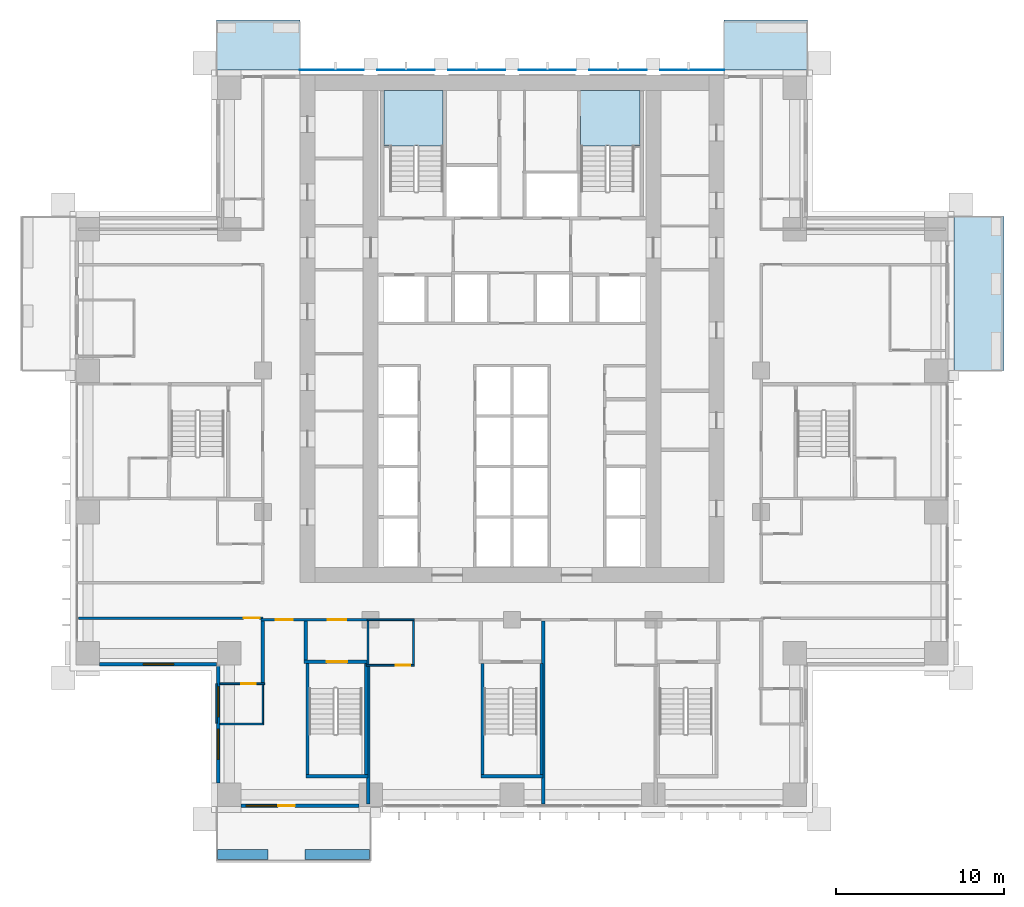
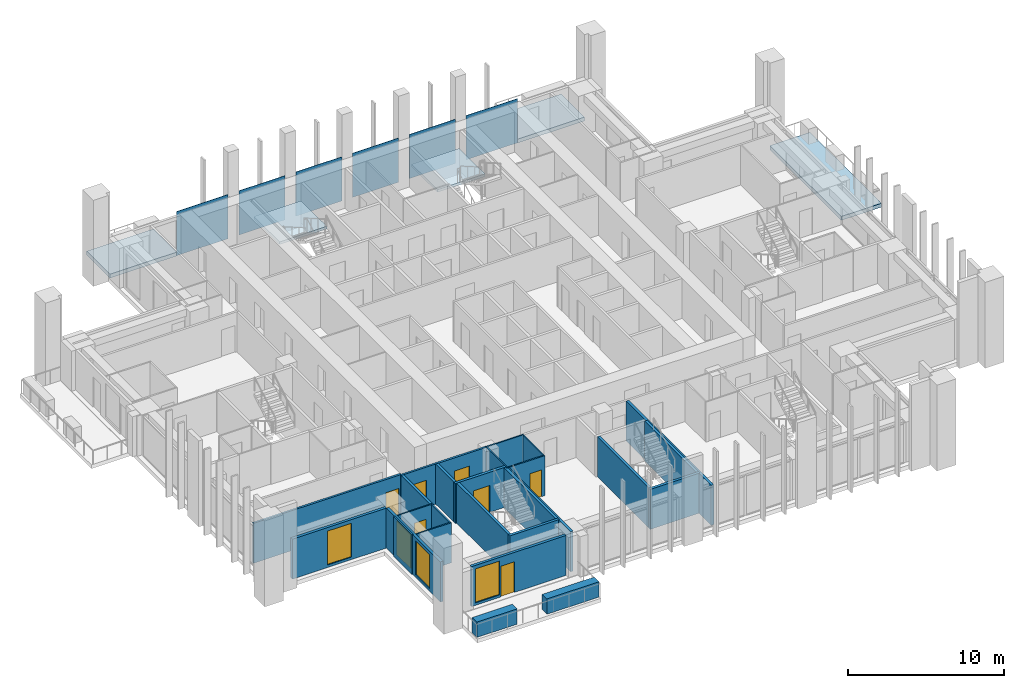
# One storey, part 6 of 17: 26 walls, 7 doors, 6 plates, 5 slabs, 4 windows, 11 openings, 2 elements without a shape of their own.
"""IFC4 building model written with IfcOpenShell, lengths in metres."""

import ifcopenshell
import ifcopenshell.guid

model = None  # the IFC model being written
_history = None  # IfcOwnerHistory: only IFC2X3 demands one
_inside = {}  # id of a spatial element -> (the spatial element, [elements in it])
_under = {}  # id of a project, library or spatial element -> (it, [spatial elements below it])
_declared = {}  # id of a project -> (the project, [libraries it declares])
_typed = {}  # id of a type object -> (the type object, [elements of that type])
_made_of = {}  # id of a material, layer set ... -> (it, [elements and type objects made of it])


def new_model(schema):
    """Start an empty IFC model of exactly this schema.

    Asked for "IFC4X3", IfcOpenShell would pick the latest addendum, in which some entities
    have other attributes; the version numbers below select the first issue.
    IFC2X3 requires an IfcOwnerHistory on every rooted entity: one is made here for all.
    """
    global model, _history
    if schema == "IFC4X3":
        model = ifcopenshell.file(schema_version=(4, 3, 0, 0))
    else:
        model = ifcopenshell.file(schema=schema)
    _inside.clear()
    _under.clear()
    _declared.clear()
    _typed.clear()
    _made_of.clear()
    _history = None
    if model.schema == "IFC2X3":
        org = make("IfcOrganization", Name="unknown")
        user = make(
            "IfcPersonAndOrganization",
            ThePerson=make("IfcPerson", FamilyName="unknown"),
            TheOrganization=org,
        )
        app = make(
            "IfcApplication",
            ApplicationDeveloper=org,
            Version="unknown",
            ApplicationFullName="unknown",
            ApplicationIdentifier="unknown",
        )
        _history = make(
            "IfcOwnerHistory",
            OwningUser=user,
            OwningApplication=app,
            ChangeAction="ADDED",
            CreationDate=0,
        )
    return model


def make(cls, **values):
    """One entity of the class cls with the attributes given. An attribute that is None is left unset."""
    return model.create_entity(
        cls, **{name: value for name, value in values.items() if value is not None}
    )


def rooted(cls, **values):
    """An entity with a GlobalId (a new one), such as an element, a storey or a relation."""
    return make(cls, GlobalId=ifcopenshell.guid.new(), OwnerHistory=_history, **values)


def si_unit(unit_type, name, prefix=None):
    """IfcSIUnit, for example si_unit("LENGTHUNIT", "METRE", prefix="MILLI")."""
    return make("IfcSIUnit", UnitType=unit_type, Prefix=prefix, Name=name)


def assignment(units):
    """IfcUnitAssignment: the units of a project."""
    return None if units is None else make("IfcUnitAssignment", Units=units)


def point(xyz):
    """IfcCartesianPoint."""
    return None if xyz is None else make("IfcCartesianPoint", Coordinates=xyz)


def direction(xyz):
    """IfcDirection."""
    return None if xyz is None else make("IfcDirection", DirectionRatios=xyz)


def frame(location, z_axis=None, x_axis=None):
    """IfcAxis2Placement3D, a coordinate frame: its origin and axes. An axis left out is left unset."""
    return make(
        "IfcAxis2Placement3D",
        Location=point(location),
        Axis=direction(z_axis),
        RefDirection=direction(x_axis),
    )


def frame_2d(location, x_axis=None):
    """IfcAxis2Placement2D, a coordinate frame in the plane: its origin and x axis."""
    return make(
        "IfcAxis2Placement2D", Location=point(location), RefDirection=direction(x_axis)
    )


def origin():
    """The frame at (0, 0, 0) with its axes left unset."""
    return frame((0.0, 0.0, 0.0))


def origin_2d():
    """The frame at (0, 0) in the plane with its x axis left unset."""
    return frame_2d((0.0, 0.0))


def place(relative_to, where):
    """IfcLocalPlacement: puts the frame where relative to a parent placement (None: the world)."""
    return make(
        "IfcLocalPlacement", PlacementRelTo=relative_to, RelativePlacement=where
    )


def context(
    kind, dimensions, precision=None, world=None, true_north=None, identifier=None
):
    """IfcGeometricRepresentationContext, for example the 3D "Model" context."""
    return make(
        "IfcGeometricRepresentationContext",
        ContextIdentifier=identifier,
        ContextType=kind,
        CoordinateSpaceDimension=dimensions,
        Precision=precision,
        WorldCoordinateSystem=world,
        TrueNorth=true_north,
    )


def subcontext(parent, identifier, kind, view, scale=None):
    """IfcGeometricRepresentationSubContext, for example "Body" below "Model"."""
    return make(
        "IfcGeometricRepresentationSubContext",
        ContextIdentifier=identifier,
        ContextType=kind,
        ParentContext=parent,
        TargetScale=scale,
        TargetView=view,
    )


def project(units=None, contexts=None):
    """IfcProject with its units and contexts."""
    return rooted(
        "IfcProject",
        Name="project",
        RepresentationContexts=contexts,
        UnitsInContext=assignment(units),
    )


def spatial(cls, under=None, at=None, **own):
    """A site, building, storey or space (cls), placed at a placement, below another one or the project."""
    s = rooted(cls, ObjectPlacement=at, **own)
    if under is not None:
        _under.setdefault(under.id(), (under, []))[1].append(s)
    return s


def polyline(points):
    """IfcPolyline through the points."""
    return make("IfcPolyline", Points=[point(p) for p in points])


def profile(cls, at=None, kind="AREA", **sizes):
    """A parametric profile (cls). Its sizes go by their IFC names, for example OverallWidth=200.0."""
    return make(cls, ProfileType=kind, Position=at, **sizes)


def rectangle(**sizes):
    """IfcRectangleProfileDef."""
    return profile("IfcRectangleProfileDef", **sizes)


def outline(outer, holes=None, kind="AREA"):
    """IfcArbitraryClosedProfileDef: a profile drawn as a closed curve; with holes, ...WithVoids."""
    if holes is None:
        return make("IfcArbitraryClosedProfileDef", ProfileType=kind, OuterCurve=outer)
    return make(
        "IfcArbitraryProfileDefWithVoids",
        ProfileType=kind,
        OuterCurve=outer,
        InnerCurves=holes,
    )


def extrude(swept, where, along, depth):
    """IfcExtrudedAreaSolid: the profile swept, set in the frame where, extruded along a direction by depth."""
    return make(
        "IfcExtrudedAreaSolid",
        SweptArea=swept,
        Position=where,
        ExtrudedDirection=direction(along),
        Depth=depth,
    )


def shape(context_of_items, identifier, shape_type, items):
    """IfcShapeRepresentation: the items that make up one representation, for example the "Body"."""
    return make(
        "IfcShapeRepresentation",
        ContextOfItems=context_of_items,
        RepresentationIdentifier=identifier,
        RepresentationType=shape_type,
        Items=items,
    )


def material(Name=None, Category=None):
    """IfcMaterial."""
    return make("IfcMaterial", Name=Name, Category=Category)


def layer(
    of_material, thickness, ventilated=None, Name=None, Category=None, Priority=None
):
    """IfcMaterialLayer: one layer of a wall or slab, of a material (None: an air gap)."""
    return make(
        "IfcMaterialLayer",
        Material=of_material,
        LayerThickness=thickness,
        IsVentilated=ventilated,
        Name=Name,
        Category=Category,
        Priority=Priority,
    )


def layer_set(layers, Name=None):
    """IfcMaterialLayerSet."""
    return make("IfcMaterialLayerSet", MaterialLayers=layers, LayerSetName=Name)


def made_of(thing, what):
    """Note that an element or type object is made of a material, layer set ...; save() writes the relation."""
    if what is not None:
        _made_of.setdefault(what.id(), (what, []))[1].append(thing)
    return thing


def type_object(cls, material=None, **own):
    """A type object (cls), such as IfcWallType, which elements share."""
    return made_of(rooted(cls, **own), material)


def element(
    cls,
    number,
    at=None,
    inside=None,
    cuts=None,
    type_object=None,
    material=None,
    context=None,
    identifier="Body",
    shape_type=None,
    held_by="IfcProductDefinitionShape",
    body=None,
    shapes=None,
    **own,
):
    """One element of the class cls, such as IfcWall. Its Tag is "e" and its number.

    at: its placement. inside: the storey or other place that contains it. cuts: it is an
    opening in that element (IfcRelVoidsElement). A single representation is given by context,
    identifier, shape_type and body (its items); several are given by shapes. held_by: the class
    of the entity that holds the representations. save() writes the other relations.
    """
    e = rooted(cls, Tag="e%d" % number, ObjectPlacement=at, **own)
    if body is not None:
        shapes = [shape(context, identifier, shape_type, body)]
    if shapes is not None:
        e.Representation = make(held_by, Representations=shapes)
    if inside is not None:
        _inside.setdefault(inside.id(), (inside, []))[1].append(e)
    if cuts is not None:
        rooted(
            "IfcRelVoidsElement", RelatingBuildingElement=cuts, RelatedOpeningElement=e
        )
    if type_object is not None:
        _typed.setdefault(type_object.id(), (type_object, []))[1].append(e)
    return made_of(e, material)


def fill(opening, filler):
    """IfcRelFillsElement: the door or window that sits in an opening."""
    return rooted(
        "IfcRelFillsElement",
        RelatingOpeningElement=opening,
        RelatedBuildingElement=filler,
    )


def aggregate(whole, parts):
    """IfcRelAggregates: a whole, such as a stair, and the parts it consists of."""
    return rooted("IfcRelAggregates", RelatingObject=whole, RelatedObjects=parts)


def save(model, path):
    """Write the relations noted so far, then the file.

    IfcRelAggregates (storeys below a building ...), IfcRelContainedInSpatialStructure (elements
    in a storey), IfcRelDefinesByType, IfcRelAssociatesMaterial and IfcRelDeclares: one each for
    every whole, place, type object, material and project.
    """
    for whole, parts in _under.values():
        aggregate(whole, parts)
    for where, things in _inside.values():
        rooted(
            "IfcRelContainedInSpatialStructure",
            RelatedElements=things,
            RelatingStructure=where,
        )
    for kind, things in _typed.values():
        rooted("IfcRelDefinesByType", RelatedObjects=things, RelatingType=kind)
    for what, things in _made_of.values():
        rooted("IfcRelAssociatesMaterial", RelatedObjects=things, RelatingMaterial=what)
    for by, libraries in _declared.values():
        rooted("IfcRelDeclares", RelatingContext=by, RelatedDefinitions=libraries)
    model.write(path)


model = new_model("IFC4")

# Units and contexts
model_context = context("Model", 3, precision=1e-05, world=origin(), true_north=direction((0.0, 1.0)))
body_context = subcontext(model_context, "Body", "Model", "MODEL_VIEW")
ifc_project = project(units=[si_unit("LENGTHUNIT", "METRE"), si_unit("AREAUNIT", "SQUARE_METRE"), si_unit("VOLUMEUNIT", "CUBIC_METRE"), si_unit("PLANEANGLEUNIT", "RADIAN"), si_unit("MASSUNIT", "GRAM", prefix="KILO")], contexts=[model_context])

# Site, building, storey
site_placement = place(None, origin())
site = spatial("IfcSite", under=ifc_project, at=site_placement, CompositionType="ELEMENT")
building_placement = place(site_placement, origin())
building = spatial("IfcBuilding", under=site, at=building_placement, Name="Vermilion Ogive Tower", CompositionType="ELEMENT")
storey_placement = place(building_placement, frame((0.0, 0.0, 69.0)))
storey = spatial("IfcBuildingStorey", under=building, at=storey_placement, Name="L16", CompositionType="ELEMENT", Elevation=69.0)

# Slabs
ifc_material_1 = material(Name="Concrete B40", Category="concrete")
ifc_layer_1 = layer(ifc_material_1, 0.300048828125)
ifc_layer_set_1 = layer_set([ifc_layer_1], Name="Balcony slab")
slab_type_1 = type_object("IfcSlabType", Name="Balcony slab", PredefinedType="FLOOR", material=ifc_layer_set_1)
slab_1_placement = place(storey_placement, frame((0.0, 0.0, -0.340087890625)))
element("IfcSlab", 1, at=slab_1_placement, inside=storey, type_object=slab_type_1, Name="Balcony slab E03", PredefinedType="FLOOR", context=body_context, shape_type="SweptSolid", body=[
    extrude(outline(polyline([(29.22998046875, 4.199951171875), (29.22998046875, 13.35009765625), (26.25, 13.35009765625), (26.25, 4.199951171875), (29.22998046875, 4.199951171875)])), origin(), (0.0, 0.0, 1.0), 0.300048828125),
])
slab_2_placement = place(storey_placement, frame((0.0, 0.0, -0.340087890625)))
element("IfcSlab", 2, at=slab_2_placement, inside=storey, type_object=slab_type_1, Name="Balcony slab N101", PredefinedType="FLOOR", context=body_context, shape_type="SweptSolid", body=[
    extrude(outline(polyline([(17.550048828125, 25.030029296875), (12.60009765625, 25.030029296875), (12.60009765625, 22.050048828125), (17.550048828125, 22.050048828125), (17.550048828125, 25.030029296875)])), origin(), (0.0, 0.0, 1.0), 0.300048828125),
])
slab_3_placement = place(storey_placement, frame((0.0, 0.0, -0.340087890625)))
element("IfcSlab", 3, at=slab_3_placement, inside=storey, type_object=slab_type_1, Name="Balcony slab N201", PredefinedType="FLOOR", context=body_context, shape_type="SweptSolid", body=[
    extrude(outline(polyline([(-12.60009765625, 25.030029296875), (-17.550048828125, 25.030029296875), (-17.550048828125, 22.050048828125), (-12.60009765625, 22.050048828125), (-12.60009765625, 25.030029296875)])), origin(), (0.0, 0.0, 1.0), 0.300048828125),
])

# Plates
ifc_material_2 = material(Name="Low-iron laminated glazing in aluminium frame", Category="aluminium")
ifc_layer_2 = layer(ifc_material_2, 0.031982421875)
ifc_layer_set_2 = layer_set([ifc_layer_2], Name="Glazed rainscreen sheet 32")
plate_type = type_object("IfcPlateType", Name="Glazed rainscreen sheet 32", PredefinedType="SHEET", material=ifc_layer_set_2)
plate_1_placement = place(storey_placement, frame((-10.7099609375, 22.06591796875, -0.31982421875), z_axis=(0.0, 0.0, 1.0), x_axis=(1.0, 0.0, 0.0)))
element("IfcPlate", 4, at=plate_1_placement, inside=storey, type_object=plate_type, Name="Glazed rainscreen sheet N1", PredefinedType="SHEET", context=body_context, shape_type="SweptSolid", body=[
    extrude(rectangle(XDim=3.820068359375, YDim=0.031982421875, at=origin_2d()), origin(), (0.0, 0.0, 1.0), 3.449951171875),
])
for number, where, z_axis, x_axis, name in (
    (5, (-6.300048828125, 22.06591796875, -0.31982421875), (0.0, 0.0, 1.0), (1.0, 0.0, 0.0), "Glazed rainscreen sheet N2"),
    (6, (-2.10009765625, 22.06591796875, -0.31982421875), (0.0, 0.0, 1.0), (1.0, 0.0, 0.0), "Glazed rainscreen sheet N3"),
    (7, (2.10009765625, 22.06591796875, -0.31982421875), (0.0, 0.0, 1.0), (1.0, 0.0, 0.0), "Glazed rainscreen sheet N4"),
    (8, (6.300048828125, 22.06591796875, -0.31982421875), (0.0, 0.0, 1.0), (1.0, 0.0, 0.0), "Glazed rainscreen sheet N5"),
):
    element("IfcPlate", number, at=place(storey_placement, frame(where, z_axis=z_axis, x_axis=x_axis)), inside=storey, type_object=plate_type, Name=name, PredefinedType="SHEET", context=body_context, shape_type="SweptSolid", body=[
        extrude(rectangle(XDim=3.39990234375, YDim=0.031982421875, at=origin_2d()), origin(), (0.0, 0.0, 1.0), 3.449951171875),
    ])
plate_2_placement = place(storey_placement, frame((10.7099609375, 22.06591796875, -0.31982421875), z_axis=(0.0, 0.0, 1.0), x_axis=(1.0, 0.0, 0.0)))
element("IfcPlate", 9, at=plate_2_placement, inside=storey, type_object=plate_type, Name="Glazed rainscreen sheet N6", PredefinedType="SHEET", context=body_context, shape_type="SweptSolid", body=[
    extrude(rectangle(XDim=3.820068359375, YDim=0.031982421875, at=origin_2d()), origin(), (0.0, 0.0, 1.0), 3.449951171875),
])

# Stair, slab
ifc_material_3 = material(Name="Concrete B40", Category="concrete")
stair_type = type_object("IfcStairType", Name="Exit stair 1500", PredefinedType="HALF_TURN_STAIR", material=ifc_material_3)
stair_1_placement = place(storey_placement, origin())
stair_1 = element("IfcStair", 10, at=stair_1_placement, inside=storey, type_object=stair_type, Name="L16 Exit Stair ST1", PredefinedType="HALF_TURN_STAIR")
ifc_material_4 = material(Name="Concrete B40", Category="concrete")
ifc_layer_3 = layer(ifc_material_4, 0.199951171875)
ifc_layer_set_3 = layer_set([ifc_layer_3], Name="Stair landing 200")
slab_type_2 = type_object("IfcSlabType", Name="Stair landing 200", PredefinedType="LANDING", material=ifc_layer_set_3)
slab_4_placement = place(storey_placement, frame((0.0, 0.0, 1.52490234375)))
slab_4 = element("IfcSlab", 11, at=slab_4_placement, type_object=slab_type_2, Name="ST1 landing 1", PredefinedType="LANDING", context=body_context, shape_type="SweptSolid", body=[
    extrude(outline(polyline([(-7.60009765625, 17.550048828125), (-7.25, 17.550048828125), (-7.25, 17.548095703125), (-5.75, 17.548095703125), (-5.75, 17.550048828125), (-5.60009765625, 17.550048828125), (-5.60009765625, 17.548095703125), (-4.10009765625, 17.548095703125), (-4.10009765625, 20.85009765625), (-7.60009765625, 20.85009765625), (-7.60009765625, 17.550048828125)])), origin(), (0.0, 0.0, 1.0), 0.2001953125),
])
aggregate(stair_1, [slab_4])

stair_2_placement = place(storey_placement, origin())
stair_2 = element("IfcStair", 12, at=stair_2_placement, inside=storey, type_object=stair_type, Name="L16 Exit Stair ST2", PredefinedType="HALF_TURN_STAIR")
slab_5_placement = place(storey_placement, frame((0.0, 0.0, 1.52490234375)))
slab_5 = element("IfcSlab", 13, at=slab_5_placement, type_object=slab_type_2, Name="ST2 landing 1", PredefinedType="LANDING", context=body_context, shape_type="SweptSolid", body=[
    extrude(outline(polyline([(5.60009765625, 17.550048828125), (5.75, 17.550048828125), (5.75, 17.548095703125), (7.25, 17.548095703125), (7.25, 17.550048828125), (7.60009765625, 17.550048828125), (7.60009765625, 20.85009765625), (4.074951171875, 20.85009765625), (4.074951171875, 17.550048828125), (4.10009765625, 17.550048828125), (4.10009765625, 17.548095703125), (5.60009765625, 17.548095703125), (5.60009765625, 17.550048828125)])), origin(), (0.0, 0.0, 1.0), 0.2001953125),
])
aggregate(stair_2, [slab_5])

# Wall
ifc_material_5 = material(Name="Gypsum board partition on steel studs", Category="steel")
ifc_layer_4 = layer(ifc_material_5, 0.10009765625)
ifc_layer_set_4 = layer_set([ifc_layer_4], Name="Partition 100 bath")
wall_type_1 = type_object("IfcWallType", Name="Partition 100 bath", PredefinedType="PARTITIONING", material=ifc_layer_set_4)
wall_1_placement = place(storey_placement, frame((-17.35009765625, -16.800048828125, 0.0), z_axis=(0.0, 0.0, 1.0), x_axis=(1.0, 0.0, 0.0)))
element("IfcWall", 14, at=wall_1_placement, inside=storey, type_object=wall_type_1, Name="L16-W-W004", PredefinedType="PARTITIONING", context=body_context, shape_type="SweptSolid", body=[
    extrude(rectangle(XDim=2.59814453125, YDim=0.10009765625, at=frame_2d((1.299072265625, 0.0))), origin(), (0.0, 0.0, 1.0), 3.1298828125),
])

# Wall, opening, door
wall_2_placement = place(storey_placement, frame((-17.35009765625, -14.39990234375, 0.0), z_axis=(0.0, 0.0, 1.0), x_axis=(1.0, 0.0, 0.0)))
wall_2 = element("IfcWall", 15, at=wall_2_placement, inside=storey, type_object=wall_type_1, Name="L16-W-W008", PredefinedType="PARTITIONING", context=body_context, shape_type="SweptSolid", body=[
    extrude(rectangle(XDim=2.650146484375, YDim=0.10009765625, at=frame_2d((1.3251953125, 0.0))), origin(), (0.0, 0.0, 1.0), 3.1298828125),
])
opening_1_placement = place(wall_2_placement, frame((1.27490234375, 0.0, 0.0)))
opening_1 = element("IfcOpeningElement", 16, at=opening_1_placement, cuts=wall_2, Name="Opening D1G6002", PredefinedType="OPENING", context=body_context, shape_type="SweptSolid", body=[
    extrude(rectangle(XDim=0.85009765625, YDim=2.10009765625, at=frame_2d((0.425048828125, 1.050048828125))), frame((0.0, 0.06005859375, 0.0), z_axis=(0.0, -1.0, 0.0), x_axis=(1.0, 0.0, 0.0)), (0.0, 0.0, 1.0), 0.1201171875),
])
ifc_material_6 = material(Name="Timber door leaf", Category="wood")
door_type_1 = type_object("IfcDoorType", Name="Bath door 850 x 2100 FD30", OperationType="SINGLE_SWING_LEFT", PredefinedType="DOOR", material=ifc_material_6)
door_1_placement = place(opening_1_placement, origin())
door_1 = element("IfcDoor", 17, at=door_1_placement, inside=storey, type_object=door_type_1, Name="L16-D-D002", OperationType="SINGLE_SWING_RIGHT", OverallHeight=2.10009765625, OverallWidth=0.85009765625, PredefinedType="DOOR", context=body_context, shape_type="SweptSolid", body=[
    extrude(rectangle(XDim=0.85009765625, YDim=2.10009765625, at=frame_2d((0.425048828125, 1.050048828125))), frame((0.0, 0.02490234375, 0.0), z_axis=(0.0, -1.0, 0.0), x_axis=(1.0, 0.0, 0.0)), (0.0, 0.0, 1.0), 0.050048828125),
])
fill(opening_1, door_1)

wall_3_placement = place(storey_placement, frame((-8.64990234375, -13.300048828125, 0.0), z_axis=(0.0, 0.0, 1.0), x_axis=(1.0, 0.0, 0.0)))
wall_3 = element("IfcWall", 18, at=wall_3_placement, inside=storey, type_object=wall_type_1, Name="L16-W-W009", PredefinedType="PARTITIONING", context=body_context, shape_type="SweptSolid", body=[
    extrude(rectangle(XDim=2.847900390625, YDim=0.10009765625, at=frame_2d((1.423828125, 0.0))), origin(), (0.0, 0.0, 1.0), 3.1298828125),
])
opening_2_placement = place(wall_3_placement, frame((1.75, 0.0, 0.0)))
opening_2 = element("IfcOpeningElement", 19, at=opening_2_placement, cuts=wall_3, Name="Opening D1G6012", PredefinedType="OPENING", context=body_context, shape_type="SweptSolid", body=[
    extrude(rectangle(XDim=0.85009765625, YDim=2.10009765625, at=frame_2d((0.425048828125, 1.050048828125))), frame((0.0, 0.06005859375, 0.0), z_axis=(0.0, -1.0, 0.0), x_axis=(1.0, 0.0, 0.0)), (0.0, 0.0, 1.0), 0.1201171875),
])
door_2_placement = place(opening_2_placement, origin())
door_2 = element("IfcDoor", 20, at=door_2_placement, inside=storey, type_object=door_type_1, Name="L16-D-D012", OperationType="SINGLE_SWING_RIGHT", OverallHeight=2.10009765625, OverallWidth=0.85009765625, PredefinedType="DOOR", context=body_context, shape_type="SweptSolid", body=[
    extrude(rectangle(XDim=0.85009765625, YDim=2.10009765625, at=frame_2d((0.425048828125, 1.050048828125))), frame((0.0, 0.02490234375, 0.0), z_axis=(0.0, -1.0, 0.0), x_axis=(1.0, 0.0, 0.0)), (0.0, 0.0, 1.0), 0.050048828125),
])
fill(opening_2, door_2)

# Walls
wall_4_placement = place(storey_placement, frame((-8.60009765625, -10.60009765625, 0.0), z_axis=(0.0, 0.0, 1.0), x_axis=(1.0, 0.0, 0.0)))
element("IfcWall", 21, at=wall_4_placement, inside=storey, type_object=wall_type_1, Name="L16-W-W015", PredefinedType="PARTITIONING", context=body_context, shape_type="SweptSolid", body=[
    extrude(rectangle(XDim=2.800048828125, YDim=0.10009765625, at=frame_2d((1.39990234375, 0.0))), origin(), (0.0, 0.0, 1.0), 3.1298828125),
])
wall_5_placement = place(storey_placement, frame((-17.550048828125, -16.75, 0.0), z_axis=(0.0, 0.0, 1.0), x_axis=(0.0, 1.0, 0.0)))
element("IfcWall", 22, at=wall_5_placement, inside=storey, type_object=wall_type_1, Name="L16-W-W054", PredefinedType="PARTITIONING", context=body_context, shape_type="SweptSolid", body=[
    extrude(rectangle(XDim=2.35009765625, YDim=0.10009765625, at=frame_2d((1.175048828125, 0.0))), origin(), (0.0, 0.0, 1.0), 3.1298828125),
])
wall_6_placement = place(storey_placement, frame((-14.800048828125, -16.748046875, 0.0), z_axis=(0.0, 0.0, 1.0), x_axis=(0.0, 1.0, 0.0)))
element("IfcWall", 23, at=wall_6_placement, inside=storey, type_object=wall_type_1, Name="L16-W-W058", PredefinedType="PARTITIONING", context=body_context, shape_type="SweptSolid", body=[
    extrude(rectangle(XDim=2.298095703125, YDim=0.10009765625, at=frame_2d((1.14892578125, 0.0))), origin(), (0.0, 0.0, 1.0), 3.1298828125),
])
wall_7_placement = place(storey_placement, frame((-8.550048828125, -13.25, 0.0), z_axis=(0.0, 0.0, 1.0), x_axis=(0.0, 1.0, 0.0)))
element("IfcWall", 24, at=wall_7_placement, inside=storey, type_object=wall_type_1, Name="L16-W-W069", PredefinedType="PARTITIONING", context=body_context, shape_type="SweptSolid", body=[
    extrude(rectangle(XDim=2.574951171875, YDim=0.10009765625, at=frame_2d((1.28759765625, 0.0))), origin(), (0.0, 0.0, 1.0), 3.1298828125),
])
wall_8_placement = place(storey_placement, frame((-5.85009765625, -13.248046875, 0.0), z_axis=(0.0, 0.0, 1.0), x_axis=(0.0, 1.0, 0.0)))
element("IfcWall", 25, at=wall_8_placement, inside=storey, type_object=wall_type_1, Name="L16-W-W070", PredefinedType="PARTITIONING", context=body_context, shape_type="SweptSolid", body=[
    extrude(rectangle(XDim=2.572998046875, YDim=0.10009765625, at=frame_2d((1.28662109375, 0.0))), origin(), (0.0, 0.0, 1.0), 3.1298828125),
])

# Wall, openings, doors
ifc_material_7 = material(Name="Gypsum board partition on steel studs", Category="steel")
ifc_layer_5 = layer(ifc_material_7, 0.14990234375)
ifc_layer_set_5 = layer_set([ifc_layer_5], Name="Partition 150 corridor")
wall_type_2 = type_object("IfcWallType", Name="Partition 150 corridor", PredefinedType="PARTITIONING", material=ifc_layer_set_5)
wall_9_placement = place(storey_placement, frame((-14.89990234375, -10.60009765625, 0.0), z_axis=(0.0, 0.0, 1.0), x_axis=(1.0, 0.0, 0.0)))
wall_9 = element("IfcWall", 26, at=wall_9_placement, inside=storey, type_object=wall_type_2, Name="L16-W-W014", PredefinedType="PARTITIONING", context=body_context, shape_type="SweptSolid", body=[
    extrude(rectangle(XDim=6.39990234375, YDim=0.14990234375, at=frame_2d((3.199951171875, 0.0))), origin(), (0.0, 0.0, 1.0), 3.1298828125),
])
opening_3_placement = place(wall_9_placement, frame((3.949951171875, 0.0, 0.0)))
opening_3 = element("IfcOpeningElement", 27, at=opening_3_placement, cuts=wall_9, Name="Opening D1G6025", PredefinedType="OPENING", context=body_context, shape_type="SweptSolid", body=[
    extrude(rectangle(XDim=1.10009765625, YDim=2.10009765625, at=frame_2d((0.550048828125, 1.050048828125))), frame((0.0, 0.0849609375, 0.0), z_axis=(0.0, -1.0, 0.0), x_axis=(1.0, 0.0, 0.0)), (0.0, 0.0, 1.0), 0.169921875),
])
opening_4_placement = place(wall_9_placement, frame((0.875, 0.0, 0.0)))
opening_4 = element("IfcOpeningElement", 28, at=opening_4_placement, cuts=wall_9, Name="Opening D1G6035", PredefinedType="OPENING", context=body_context, shape_type="SweptSolid", body=[
    extrude(rectangle(XDim=1.0, YDim=2.10009765625, at=frame_2d((0.5, 1.050048828125))), frame((0.0, 0.0849609375, 0.0), z_axis=(0.0, -1.0, 0.0), x_axis=(1.0, 0.0, 0.0)), (0.0, 0.0, 1.0), 0.169921875),
])
ifc_material_8 = material(Name="Timber door leaf", Category="wood")
door_type_2 = type_object("IfcDoorType", Name="Stair door 1100 x 2100 FD60S", OperationType="SINGLE_SWING_LEFT", PredefinedType="DOOR", material=ifc_material_8)
door_3_placement = place(opening_3_placement, origin())
door_3 = element("IfcDoor", 29, at=door_3_placement, inside=storey, type_object=door_type_2, Name="L16-D-D025", OperationType="SINGLE_SWING_RIGHT", OverallHeight=2.10009765625, OverallWidth=1.10009765625, PredefinedType="DOOR", context=body_context, shape_type="SweptSolid", body=[
    extrude(rectangle(XDim=1.10009765625, YDim=2.10009765625, at=frame_2d((0.550048828125, 1.050048828125))), frame((0.0, 0.02490234375, 0.0), z_axis=(0.0, -1.0, 0.0), x_axis=(1.0, 0.0, 0.0)), (0.0, 0.0, 1.0), 0.050048828125),
])
fill(opening_3, door_3)
ifc_material_9 = material(Name="Timber door leaf", Category="wood")
door_type_3 = type_object("IfcDoorType", Name="Unit door 1000 x 2100 FD30S", OperationType="SINGLE_SWING_LEFT", PredefinedType="DOOR", material=ifc_material_9)
door_4_placement = place(opening_4_placement, origin())
door_4 = element("IfcDoor", 30, at=door_4_placement, inside=storey, type_object=door_type_3, Name="L16-D-D035", OperationType="SINGLE_SWING_RIGHT", OverallHeight=2.10009765625, OverallWidth=1.0, PredefinedType="DOOR", context=body_context, shape_type="SweptSolid", body=[
    extrude(rectangle(XDim=1.0, YDim=2.10009765625, at=frame_2d((0.5, 1.050048828125))), frame((0.0, 0.02490234375, 0.0), z_axis=(0.0, -1.0, 0.0), x_axis=(1.0, 0.0, 0.0)), (0.0, 0.0, 1.0), 0.050048828125),
])
fill(opening_4, door_4)

# Wall, opening, door
wall_10_placement = place(storey_placement, frame((-25.75, -10.5, 0.0), z_axis=(0.0, 0.0, 1.0), x_axis=(1.0, 0.0, 0.0)))
wall_10 = element("IfcWall", 31, at=wall_10_placement, inside=storey, type_object=wall_type_2, Name="L16-W-W019", PredefinedType="PARTITIONING", context=body_context, shape_type="SweptSolid", body=[
    extrude(rectangle(XDim=10.949951171875, YDim=0.14990234375, at=frame_2d((5.47509765625, 0.0))), origin(), (0.0, 0.0, 1.0), 3.1298828125),
])
opening_5_placement = place(wall_10_placement, frame((9.800048828125, 0.0, 0.0)))
opening_5 = element("IfcOpeningElement", 32, at=opening_5_placement, cuts=wall_10, Name="Opening D1G6001", PredefinedType="OPENING", context=body_context, shape_type="SweptSolid", body=[
    extrude(rectangle(XDim=0.949951171875, YDim=2.10009765625, at=frame_2d((0.47509765625, 1.050048828125))), frame((0.0, 0.0849609375, 0.0), z_axis=(0.0, -1.0, 0.0), x_axis=(1.0, 0.0, 0.0)), (0.0, 0.0, 1.0), 0.169921875),
])
ifc_material_10 = material(Name="Timber door leaf", Category="wood")
door_type_4 = type_object("IfcDoorType", Name="Unit door 950 x 2100 FD30S", OperationType="SINGLE_SWING_LEFT", PredefinedType="DOOR", material=ifc_material_10)
door_5_placement = place(opening_5_placement, origin())
door_5 = element("IfcDoor", 33, at=door_5_placement, inside=storey, type_object=door_type_4, Name="L16-D-D001", OperationType="SINGLE_SWING_RIGHT", OverallHeight=2.10009765625, OverallWidth=0.949951171875, PredefinedType="DOOR", context=body_context, shape_type="SweptSolid", body=[
    extrude(rectangle(XDim=0.949951171875, YDim=2.10009765625, at=frame_2d((0.47509765625, 1.050048828125))), frame((0.0, 0.02490234375, 0.0), z_axis=(0.0, -1.0, 0.0), x_axis=(1.0, 0.0, 0.0)), (0.0, 0.0, 1.0), 0.050048828125),
])
fill(opening_5, door_5)

# Walls
ifc_material_11 = material(Name="Gypsum board partition on steel studs", Category="steel")
ifc_layer_6 = layer(ifc_material_11, 0.199951171875)
ifc_layer_set_6 = layer_set([ifc_layer_6], Name="Partition 200 party")
wall_type_3 = type_object("IfcWallType", Name="Partition 200 party", PredefinedType="PARTITIONING", material=ifc_layer_set_6)
wall_11_placement = place(storey_placement, frame((-14.800048828125, -14.35009765625, 0.0), z_axis=(0.0, 0.0, 1.0), x_axis=(0.0, 1.0, 0.0)))
element("IfcWall", 34, at=wall_11_placement, inside=storey, type_object=wall_type_3, Name="L16-W-W059", PredefinedType="PARTITIONING", context=body_context, shape_type="SweptSolid", body=[
    extrude(rectangle(XDim=3.675048828125, YDim=0.199951171875, at=frame_2d((1.83740234375, 0.0))), origin(), (0.0, 0.0, 1.0), 3.1298828125),
])
wall_12_placement = place(storey_placement, frame((-12.25, -12.998046875, 0.0), z_axis=(0.0, 0.0, 1.0), x_axis=(0.0, 1.0, 0.0)))
element("IfcWall", 35, at=wall_12_placement, inside=storey, type_object=wall_type_3, Name="L16-W-W065", PredefinedType="PARTITIONING", context=body_context, shape_type="SweptSolid", body=[
    extrude(rectangle(XDim=2.322998046875, YDim=0.199951171875, at=frame_2d((1.16162109375, 0.0))), origin(), (0.0, 0.0, 1.0), 3.1298828125),
])
ifc_material_12 = material(Name="Concrete B60", Category="concrete")
ifc_layer_7 = layer(ifc_material_12, 0.199951171875)
ifc_layer_set_7 = layer_set([ifc_layer_7], Name="Stair shaft wall 200 Concrete B60")
wall_type_4 = type_object("IfcWallType", Name="Stair shaft wall 200 Concrete B60", PredefinedType="SOLIDWALL", material=ifc_layer_set_7)
wall_13_placement = place(storey_placement, frame((-12.248046875, -19.89990234375, 0.0), z_axis=(0.0, 0.0, 1.0), x_axis=(1.0, 0.0, 0.0)))
element("IfcWall", 36, at=wall_13_placement, inside=storey, type_object=wall_type_4, Name="L16-W-W001", PredefinedType="SOLIDWALL", context=body_context, shape_type="SweptSolid", body=[
    extrude(rectangle(XDim=3.696044921875, YDim=0.199951171875, at=frame_2d((1.84814453125, 0.0))), origin(), (0.0, 0.0, 1.0), 3.1298828125),
])
wall_14_placement = place(storey_placement, frame((-1.847900390625, -19.89990234375, 0.0), z_axis=(0.0, 0.0, 1.0), x_axis=(1.0, 0.0, 0.0)))
element("IfcWall", 37, at=wall_14_placement, inside=storey, type_object=wall_type_4, Name="L16-W-W002", PredefinedType="SOLIDWALL", context=body_context, shape_type="SweptSolid", body=[
    extrude(rectangle(XDim=3.69580078125, YDim=0.199951171875, at=frame_2d((1.847900390625, 0.0))), origin(), (0.0, 0.0, 1.0), 3.1298828125),
])

# Wall, opening, door
wall_15_placement = place(storey_placement, frame((-12.347900390625, -13.10009765625, 0.0), z_axis=(0.0, 0.0, 1.0), x_axis=(1.0, 0.0, 0.0)))
wall_15 = element("IfcWall", 38, at=wall_15_placement, inside=storey, type_object=wall_type_4, Name="L16-W-W011", PredefinedType="SOLIDWALL", context=body_context, shape_type="SweptSolid", body=[
    extrude(rectangle(XDim=3.745849609375, YDim=0.199951171875, at=frame_2d((1.873046875, 0.0))), origin(), (0.0, 0.0, 1.0), 3.1298828125),
])
opening_6_placement = place(wall_15_placement, frame((1.347900390625, 0.0, 0.0)))
opening_6 = element("IfcOpeningElement", 39, at=opening_6_placement, cuts=wall_15, Name="Opening D1G6026", PredefinedType="OPENING", context=body_context, shape_type="SweptSolid", body=[
    extrude(rectangle(XDim=1.199951171875, YDim=2.10009765625, at=frame_2d((0.60009765625, 1.050048828125))), frame((0.0, 0.10986328125, 0.0), z_axis=(0.0, -1.0, 0.0), x_axis=(1.0, 0.0, 0.0)), (0.0, 0.0, 1.0), 0.219970703125),
])
ifc_material_13 = material(Name="Timber door leaf", Category="wood")
door_type_5 = type_object("IfcDoorType", Name="Stair door 1200 x 2100 FD60S", OperationType="SINGLE_SWING_LEFT", PredefinedType="DOOR", material=ifc_material_13)
door_6_placement = place(opening_6_placement, origin())
door_6 = element("IfcDoor", 40, at=door_6_placement, inside=storey, type_object=door_type_5, Name="L16-D-D026", OperationType="SINGLE_SWING_RIGHT", OverallHeight=2.10009765625, OverallWidth=1.199951171875, PredefinedType="DOOR", context=body_context, shape_type="SweptSolid", body=[
    extrude(rectangle(XDim=1.199951171875, YDim=2.10009765625, at=frame_2d((0.60009765625, 1.050048828125))), frame((0.0, 0.02490234375, 0.0), z_axis=(0.0, -1.0, 0.0), x_axis=(1.0, 0.0, 0.0)), (0.0, 0.0, 1.0), 0.050048828125),
])
fill(opening_6, door_6)

# Walls
for number, where, z_axis, x_axis, name in (
    (41, (-12.14990234375, -19.798095703125, 0.0), (0.0, 0.0, 1.0), (0.0, 1.0, 0.0), "L16-W-W066"),
    (42, (-8.64990234375, -19.798095703125, 0.0), (0.0, 0.0, 1.0), (0.0, 1.0, 0.0), "L16-W-W067"),
    (43, (-1.75, -19.798095703125, 0.0), (0.0, 0.0, 1.0), (0.0, 1.0, 0.0), "L16-W-W072"),
    (44, (1.75, -19.798095703125, 0.0), (0.0, 0.0, 1.0), (0.0, 1.0, 0.0), "L16-W-W073"),
):
    element("IfcWall", number, at=place(storey_placement, frame(where, z_axis=z_axis, x_axis=x_axis)), inside=storey, type_object=wall_type_4, Name=name, PredefinedType="SOLIDWALL", context=body_context, shape_type="SweptSolid", body=[
        extrude(rectangle(XDim=6.59619140625, YDim=0.199951171875, at=frame_2d((3.298095703125, 0.0))), origin(), (0.0, 0.0, 1.0), 3.1298828125),
    ])
wall_16_placement = place(storey_placement, frame((1.85009765625, -21.550048828125, 0.0), z_axis=(0.0, 0.0, 1.0), x_axis=(0.0, 1.0, 0.0)))
element("IfcWall", 45, at=wall_16_placement, inside=storey, type_object=wall_type_4, Name="L16-W-W074-A", PredefinedType="SOLIDWALL", context=body_context, shape_type="SweptSolid", body=[
    extrude(rectangle(XDim=10.875, YDim=0.199951171875, at=frame_2d((5.4375, 0.0))), origin(), (0.0, 0.0, 1.0), 3.1298828125),
])
wall_17_placement = place(storey_placement, frame((-8.550048828125, -21.550048828125, 0.0), z_axis=(0.0, 0.0, 1.0), x_axis=(0.0, 1.0, 0.0)))
element("IfcWall", 46, at=wall_17_placement, inside=storey, type_object=wall_type_4, Name="L16-W-W068-A", PredefinedType="SOLIDWALL", context=body_context, shape_type="SweptSolid", body=[
    extrude(rectangle(XDim=8.199951171875, YDim=0.199951171875, at=frame_2d((4.10009765625, 0.0))), origin(), (0.0, 0.0, 1.0), 3.1298828125),
])
ifc_material_14 = material(Name="Concrete B40", Category="concrete")
ifc_layer_8 = layer(ifc_material_14, 0.60009765625)
ifc_layer_set_8 = layer_set([ifc_layer_8], Name="Structural planter")
wall_type_5 = type_object("IfcWallType", Name="Structural planter", PredefinedType="USERDEFINED", material=ifc_layer_set_8)
wall_18_placement = place(storey_placement, frame((-17.489990234375, -24.550048828125, -0.0400390625), z_axis=(0.0, 0.0, 1.0), x_axis=(1.0, 0.0, 0.0)))
element("IfcWall", 47, at=wall_18_placement, inside=storey, type_object=wall_type_5, Name="Planter S01A1", ObjectType="PLANTER", PredefinedType="USERDEFINED", context=body_context, shape_type="SweptSolid", body=[
    extrude(rectangle(XDim=2.989990234375, YDim=0.60009765625, at=frame_2d((1.4951171875, 0.0))), origin(), (0.0, 0.0, 1.0), 1.199951171875),
])
wall_19_placement = place(storey_placement, frame((-12.300048828125, -24.550048828125, -0.0400390625), z_axis=(0.0, 0.0, 1.0), x_axis=(1.0, 0.0, 0.0)))
element("IfcWall", 48, at=wall_19_placement, inside=storey, type_object=wall_type_5, Name="Planter S01A2", ObjectType="PLANTER", PredefinedType="USERDEFINED", context=body_context, shape_type="SweptSolid", body=[
    extrude(rectangle(XDim=3.840087890625, YDim=0.60009765625, at=frame_2d((1.919921875, 0.0))), origin(), (0.0, 0.0, 1.0), 1.199951171875),
])

# Wall, openings, door, window
ifc_material_15 = material(Name="Aluminium window wall framing", Category="aluminium")
ifc_layer_9 = layer(ifc_material_15, 0.199951171875)
ifc_layer_set_9 = layer_set([ifc_layer_9], Name="Window wall")
wall_type_6 = type_object("IfcWallType", Name="Window wall", PredefinedType="STANDARD", material=ifc_layer_set_9)
wall_20_placement = place(storey_placement, frame((-16.10009765625, -21.64990234375, 0.0), z_axis=(0.0, 0.0, 1.0), x_axis=(1.0, 0.0, 0.0)))
wall_20 = element("IfcWall", 49, at=wall_20_placement, inside=storey, type_object=wall_type_6, Name="Window wall S1", PredefinedType="STANDARD", context=body_context, shape_type="SweptSolid", body=[
    extrude(rectangle(XDim=7.0, YDim=0.199951171875, at=frame_2d((3.5, 0.0))), origin(), (0.0, 0.0, 1.0), 3.1298828125),
])
opening_7_placement = place(wall_20_placement, frame((0.300048828125, 0.0, 0.199951171875)))
opening_7 = element("IfcOpeningElement", 50, at=opening_7_placement, cuts=wall_20, Name="Opening W1-S96", PredefinedType="OPENING", context=body_context, shape_type="SweptSolid", body=[
    extrude(rectangle(XDim=1.800048828125, YDim=2.64990234375, at=frame_2d((0.89990234375, 1.324951171875))), frame((0.0, 0.10986328125, 0.0), z_axis=(0.0, -1.0, 0.0), x_axis=(1.0, 0.0, 0.0)), (0.0, 0.0, 1.0), 0.219970703125),
])
opening_8_placement = place(wall_20_placement, frame((2.199951171875, 0.0, 0.0)))
opening_8 = element("IfcOpeningElement", 51, at=opening_8_placement, cuts=wall_20, Name="Opening D1-S96", PredefinedType="OPENING", context=body_context, shape_type="SweptSolid", body=[
    extrude(rectangle(XDim=1.0, YDim=2.39990234375, at=frame_2d((0.5, 1.199951171875))), frame((0.0, 0.10986328125, 0.0), z_axis=(0.0, -1.0, 0.0), x_axis=(1.0, 0.0, 0.0)), (0.0, 0.0, 1.0), 0.219970703125),
])
ifc_material_16 = material(Name="Aluminium framed glazed door", Category="aluminium")
door_type_6 = type_object("IfcDoorType", Name="Balcony door D1", OperationType="SINGLE_SWING_LEFT", PredefinedType="DOOR", material=ifc_material_16)
door_7_placement = place(opening_8_placement, origin())
door_7 = element("IfcDoor", 52, at=door_7_placement, inside=storey, type_object=door_type_6, Name="Balcony door S96", OperationType="SINGLE_SWING_LEFT", OverallHeight=2.39990234375, OverallWidth=1.0, PredefinedType="DOOR", context=body_context, shape_type="SweptSolid", body=[
    extrude(rectangle(XDim=1.0, YDim=2.39990234375, at=frame_2d((0.5, 1.199951171875))), frame((0.0, 0.02490234375, 0.0), z_axis=(0.0, -1.0, 0.0), x_axis=(1.0, 0.0, 0.0)), (0.0, 0.0, 1.0), 0.050048828125),
])
fill(opening_8, door_7)
ifc_material_17 = material(Name="Aluminium framed double glazing", Category="aluminium")
window_type = type_object("IfcWindowType", Name="Guest window W1", PartitioningType="SINGLE_PANEL", PredefinedType="WINDOW", material=ifc_material_17)
window_1_placement = place(opening_7_placement, origin())
window_1 = element("IfcWindow", 53, at=window_1_placement, inside=storey, type_object=window_type, Name="Window S96", OverallHeight=2.64990234375, OverallWidth=1.800048828125, PartitioningType="SINGLE_PANEL", PredefinedType="WINDOW", context=body_context, shape_type="SweptSolid", body=[
    extrude(rectangle(XDim=1.800048828125, YDim=2.64990234375, at=frame_2d((0.89990234375, 1.324951171875))), frame((0.0, 0.030029296875, 0.0), z_axis=(0.0, -1.0, 0.0), x_axis=(1.0, 0.0, 0.0)), (0.0, 0.0, 1.0), 0.06005859375),
])
fill(opening_7, window_1)

# Wall, opening, window
wall_21_placement = place(storey_placement, frame((-24.5, -13.25, 0.0), z_axis=(0.0, 0.0, 1.0), x_axis=(1.0, 0.0, 0.0)))
wall_21 = element("IfcWall", 54, at=wall_21_placement, inside=storey, type_object=wall_type_6, Name="Window wall X71", PredefinedType="STANDARD", context=body_context, shape_type="SweptSolid", body=[
    extrude(rectangle(XDim=6.949951171875, YDim=0.199951171875, at=frame_2d((3.47509765625, 0.0))), origin(), (0.0, 0.0, 1.0), 3.1298828125),
])
opening_9_placement = place(wall_21_placement, frame((2.60009765625, 0.0, 0.199951171875)))
opening_9 = element("IfcOpeningElement", 55, at=opening_9_placement, cuts=wall_21, Name="Opening W1-X791", PredefinedType="OPENING", context=body_context, shape_type="SweptSolid", body=[
    extrude(rectangle(XDim=1.800048828125, YDim=2.64990234375, at=frame_2d((0.89990234375, 1.324951171875))), frame((0.0, 0.10986328125, 0.0), z_axis=(0.0, -1.0, 0.0), x_axis=(1.0, 0.0, 0.0)), (0.0, 0.0, 1.0), 0.219970703125),
])
window_2_placement = place(opening_9_placement, origin())
window_2 = element("IfcWindow", 56, at=window_2_placement, inside=storey, type_object=window_type, Name="Window X791", OverallHeight=2.64990234375, OverallWidth=1.800048828125, PartitioningType="SINGLE_PANEL", PredefinedType="WINDOW", context=body_context, shape_type="SweptSolid", body=[
    extrude(rectangle(XDim=1.800048828125, YDim=2.64990234375, at=frame_2d((0.89990234375, 1.324951171875))), frame((0.0, 0.030029296875, 0.0), z_axis=(0.0, -1.0, 0.0), x_axis=(1.0, 0.0, 0.0)), (0.0, 0.0, 1.0), 0.06005859375),
])
fill(opening_9, window_2)

# Wall, openings, windows
wall_22_placement = place(storey_placement, frame((-17.449951171875, -13.35009765625, 0.0), z_axis=(0.0, 0.0, 1.0), x_axis=(0.0, -1.0, 0.0)))
wall_22 = element("IfcWall", 57, at=wall_22_placement, inside=storey, type_object=wall_type_6, Name="Window wall X81", PredefinedType="STANDARD", context=body_context, shape_type="SweptSolid", body=[
    extrude(rectangle(XDim=6.949951171875, YDim=0.199951171875, at=frame_2d((3.47509765625, 0.0))), origin(), (0.0, 0.0, 1.0), 3.1298828125),
])
opening_10_placement = place(wall_22_placement, frame((3.75, 0.0, 0.199951171875)))
opening_10 = element("IfcOpeningElement", 58, at=opening_10_placement, cuts=wall_22, Name="Opening W1-X895", PredefinedType="OPENING", context=body_context, shape_type="SweptSolid", body=[
    extrude(rectangle(XDim=1.800048828125, YDim=2.64990234375, at=frame_2d((0.89990234375, 1.324951171875))), frame((0.0, 0.10986328125, 0.0), z_axis=(0.0, -1.0, 0.0), x_axis=(1.0, 0.0, 0.0)), (0.0, 0.0, 1.0), 0.219970703125),
])
opening_11_placement = place(wall_22_placement, frame((1.219970703125, 0.0, 0.199951171875)))
opening_11 = element("IfcOpeningElement", 59, at=opening_11_placement, cuts=wall_22, Name="Opening W1-X896", PredefinedType="OPENING", context=body_context, shape_type="SweptSolid", body=[
    extrude(rectangle(XDim=1.800048828125, YDim=2.64990234375, at=frame_2d((0.89990234375, 1.324951171875))), frame((0.0, 0.10986328125, 0.0), z_axis=(0.0, -1.0, 0.0), x_axis=(1.0, 0.0, 0.0)), (0.0, 0.0, 1.0), 0.219970703125),
])
window_3_placement = place(opening_10_placement, origin())
window_3 = element("IfcWindow", 60, at=window_3_placement, inside=storey, type_object=window_type, Name="Window X895", OverallHeight=2.64990234375, OverallWidth=1.800048828125, PartitioningType="SINGLE_PANEL", PredefinedType="WINDOW", context=body_context, shape_type="SweptSolid", body=[
    extrude(rectangle(XDim=1.800048828125, YDim=2.64990234375, at=frame_2d((0.89990234375, 1.324951171875))), frame((0.0, 0.030029296875, 0.0), z_axis=(0.0, -1.0, 0.0), x_axis=(1.0, 0.0, 0.0)), (0.0, 0.0, 1.0), 0.06005859375),
])
fill(opening_10, window_3)
window_4_placement = place(opening_11_placement, origin())
window_4 = element("IfcWindow", 61, at=window_4_placement, inside=storey, type_object=window_type, Name="Window X896", OverallHeight=2.64990234375, OverallWidth=1.800048828125, PartitioningType="SINGLE_PANEL", PredefinedType="WINDOW", context=body_context, shape_type="SweptSolid", body=[
    extrude(rectangle(XDim=1.800048828125, YDim=2.64990234375, at=frame_2d((0.89990234375, 1.324951171875))), frame((0.0, 0.030029296875, 0.0), z_axis=(0.0, -1.0, 0.0), x_axis=(1.0, 0.0, 0.0)), (0.0, 0.0, 1.0), 0.06005859375),
])
fill(opening_11, window_4)

save(model, "model.ifc")
